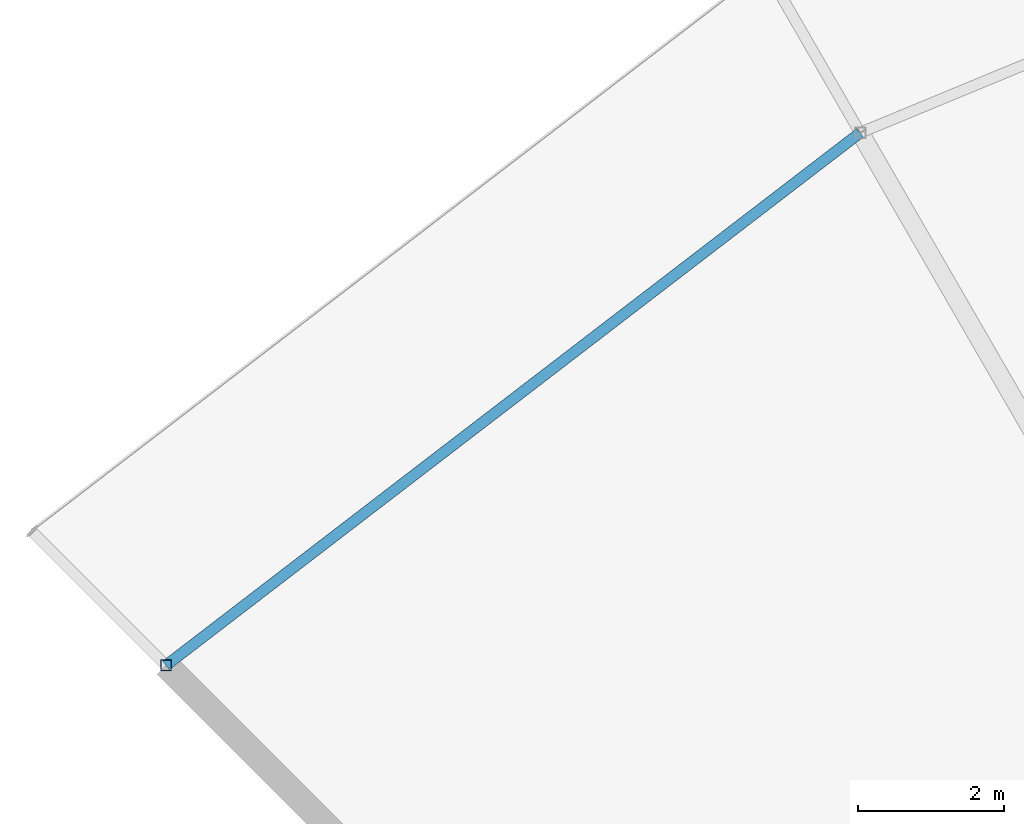
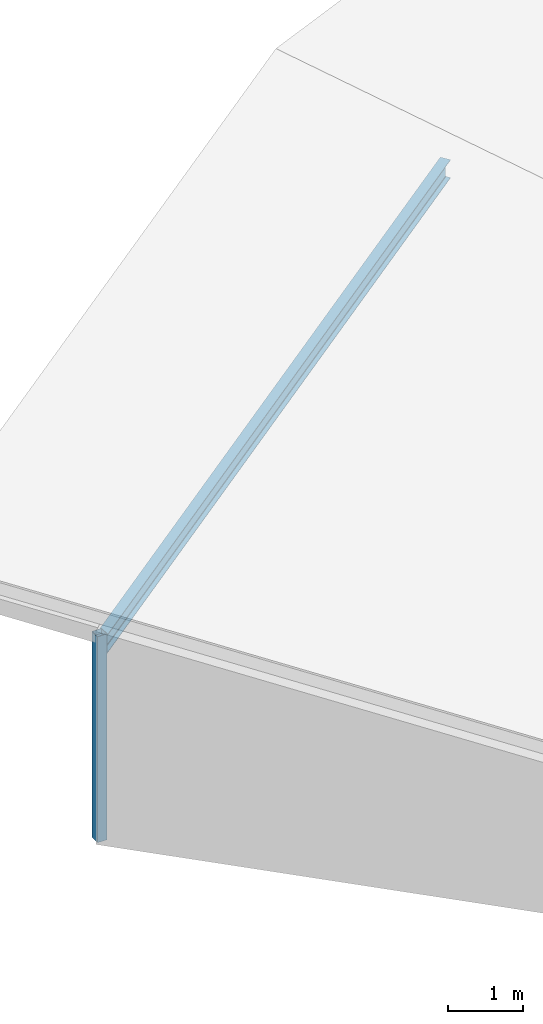
# One storey, part 14 of 70: 1 beam, 1 member.
"""IFC4 building model written with IfcOpenShell, lengths in metres."""

from ifc_helpers import new_model, si_unit, direction, frame, origin, origin_2d, place, context, subcontext, project, spatial, hollow_rectangle, i_section, extrude, material, material_profile, profile_set, type_object, element, save


model = new_model("IFC4")

# Units and contexts
model_context = context("Model", 3, precision=1e-05, world=origin(), true_north=direction((0.0, 1.0)))
body_context = subcontext(model_context, "Body", "Model", "MODEL_VIEW")
ifc_project = project(units=[si_unit("LENGTHUNIT", "METRE"), si_unit("AREAUNIT", "SQUARE_METRE"), si_unit("VOLUMEUNIT", "CUBIC_METRE"), si_unit("PLANEANGLEUNIT", "RADIAN"), si_unit("MASSUNIT", "GRAM", prefix="KILO")], contexts=[model_context])

# Site, building, storey
site_placement = place(None, origin())
site = spatial("IfcSite", under=ifc_project, at=site_placement, CompositionType="ELEMENT")
building_placement = place(site_placement, origin())
building = spatial("IfcBuilding", under=site, at=building_placement, Name="Vondelvale Polytechnic", CompositionType="ELEMENT")
storey_placement = place(building_placement, frame((0.0, 0.0, 22.199951171875)))
storey = spatial("IfcBuildingStorey", under=building, at=storey_placement, Name="L05", CompositionType="ELEMENT", Elevation=22.199951171875)

# Beam
ifc_material_1 = material(Name="Steel 300PLUS (fy = 300 MPa)", Category="steel")
ifc_material_profile_1 = material_profile(ifc_material_1, i_section(OverallWidth=0.14892578125, OverallDepth=0.298095703125, WebThickness=0.005615234375, FlangeThickness=0.008056640625, FilletRadius=0.011474609375, at=origin_2d()), Name="310UB32.0")
ifc_profile_set_1 = profile_set([ifc_material_profile_1], Name="Steel 300PLUS (fy = 300 MPa)")
beam_type = type_object("IfcBeamType", Name="BM-UB310L", PredefinedType="BEAM", material=ifc_profile_set_1)
beam_placement = place(storey_placement, frame((79.0, 111.837158203125, 3.11083984375), z_axis=(-0.793349743808, -0.608766116008, 0.0), x_axis=(0.608766116008, -0.793349743808, 0.0)))
element("IfcBeam", 1, at=beam_placement, inside=storey, type_object=beam_type, Name="L05 RE B-25", PredefinedType="BEAM", context=body_context, shape_type="SweptSolid", body=[
    extrude(i_section(OverallWidth=0.14892578125, OverallDepth=0.298095703125, WebThickness=0.005615234375, FlangeThickness=0.008056640625, FilletRadius=0.011474609375, at=origin_2d()), origin(), (0.0, 0.0, 1.0), 12.00830078125),
])

# Member
ifc_material_2 = material(Name="Steel C350L0 (fy = 350 MPa)", Category="steel")
ifc_material_profile_2 = material_profile(ifc_material_2, hollow_rectangle(XDim=0.14990234375, YDim=0.14990234375, WallThickness=0.006103515625, at=origin_2d()), Name="150x150x6.0SHS")
ifc_profile_set_2 = profile_set([ifc_material_profile_2], Name="Steel C350L0 (fy = 350 MPa)")
member_type = type_object("IfcMemberType", Name="ROOF TRUSS POST 150SHS", PredefinedType="POST", material=ifc_profile_set_2)
member_placement = place(storey_placement, frame((69.47314453125, 104.52685546875, 0.0), z_axis=(0.0, 0.0, 1.0), x_axis=(1.0, 0.0, 0.0)))
element("IfcMember", 2, at=member_placement, inside=storey, type_object=member_type, Name="Ring step outer roof post 08", PredefinedType="POST", context=body_context, shape_type="SweptSolid", body=[
    extrude(hollow_rectangle(XDim=0.14990234375, YDim=0.14990234375, WallThickness=0.006103515625, at=origin_2d()), origin(), (0.0, 0.0, 1.0), 3.33984375),
])

save(model, "model.ifc")
